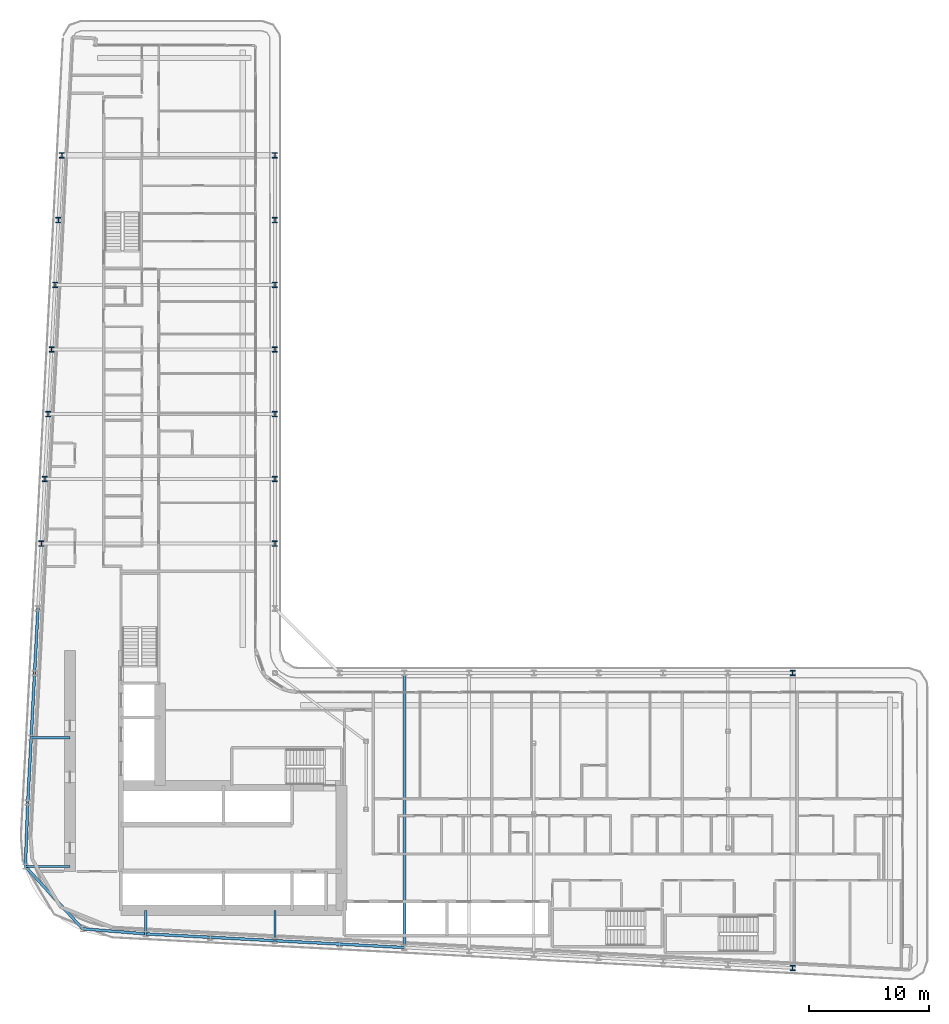
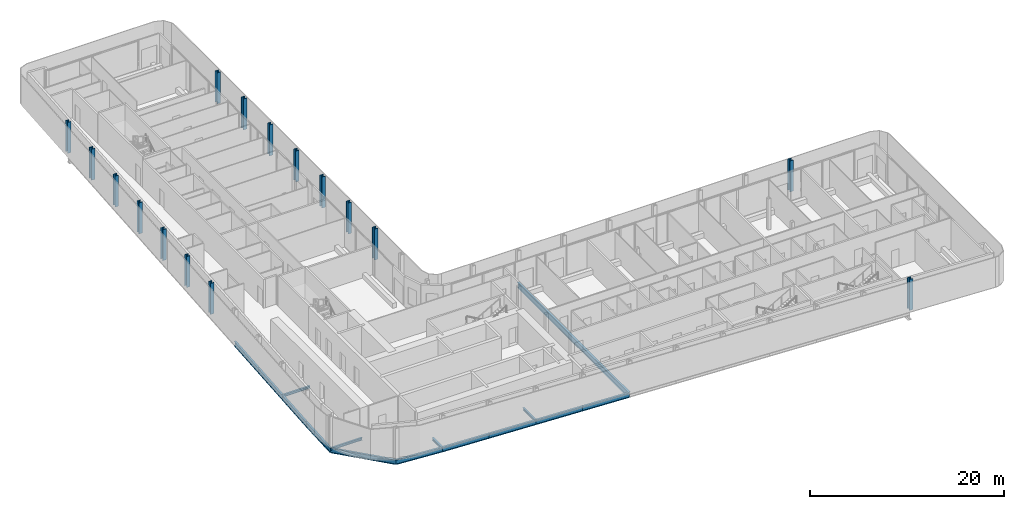
# One storey, part 3 of 28: 16 columns, 15 beams.
"""IFC4 building model written with IfcOpenShell, lengths in metres."""

from ifc_helpers import new_model, si_unit, direction, frame, origin, origin_2d, place, context, subcontext, project, spatial, i_section, extrude, material, material_profile, profile_set, type_object, element, save


model = new_model("IFC4")

# Units and contexts
model_context = context("Model", 3, precision=1e-05, world=origin(), true_north=direction((0.0, 1.0)))
body_context = subcontext(model_context, "Body", "Model", "MODEL_VIEW")
ifc_project = project(units=[si_unit("LENGTHUNIT", "METRE"), si_unit("AREAUNIT", "SQUARE_METRE"), si_unit("VOLUMEUNIT", "CUBIC_METRE"), si_unit("PLANEANGLEUNIT", "RADIAN"), si_unit("MASSUNIT", "GRAM", prefix="KILO")], contexts=[model_context])

# Site, building, storey
site_placement = place(None, origin())
site = spatial("IfcSite", under=ifc_project, at=site_placement, CompositionType="ELEMENT")
building_placement = place(site_placement, origin())
building = spatial("IfcBuilding", under=site, at=building_placement, Name="Kheshtan School and Residences Tower", CompositionType="ELEMENT")
storey_placement = place(building_placement, frame((0.0, 0.0, 133.10009765625)))
storey = spatial("IfcBuildingStorey", under=building, at=storey_placement, Name="L31", CompositionType="ELEMENT", Elevation=133.10009765625)

# Columns
ifc_material = material(Name="Steel ASTM A992 Grade 50", Category="steel")
ifc_material_profile_1 = material_profile(ifc_material, i_section(OverallWidth=0.41796875, OverallDepth=0.455078125, WebThickness=0.042236328125, FlangeThickness=0.067626953125, FilletRadius=0.013671875, at=origin_2d()), Name="W360x551")
ifc_profile_set_1 = profile_set([ifc_material_profile_1], Name="Steel ASTM A992 Grade 50")
column_type = type_object("IfcColumnType", Name="Column C2 W360x551 ASTM A992 Grade 50", PredefinedType="COLUMN", material=ifc_profile_set_1)
for number, where, z_axis, x_axis, name in (
    (1, (90.800048828125, 20.989990234375, 0.0), (0.0, 0.0, 1.0), (1.0, 0.0, 0.0), "Column C006"),
    (2, (90.800048828125, 45.60009765625, 0.0), (0.0, 0.0, 1.0), (1.0, 0.0, 0.0), "Column C068"),
    (3, (28.10595703125, 56.39990234375, 0.0), (0.0, 0.0, 1.0), (1.0, 0.0, 0.0), "Column C080"),
    (4, (47.60009765625, 56.39990234375, 0.0), (0.0, 0.0, 1.0), (1.0, 0.0, 0.0), "Column C081"),
    (5, (28.389892578125, 61.800048828125, 0.0), (0.0, 0.0, 1.0), (1.0, 0.0, 0.0), "Column C082"),
    (6, (47.60009765625, 61.800048828125, 0.0), (0.0, 0.0, 1.0), (1.0, 0.0, 0.0), "Column C083"),
    (7, (28.674072265625, 67.199951171875, 0.0), (0.0, 0.0, 1.0), (1.0, 0.0, 0.0), "Column C084"),
    (8, (47.60009765625, 67.199951171875, 0.0), (0.0, 0.0, 1.0), (1.0, 0.0, 0.0), "Column C085"),
    (9, (28.9580078125, 72.60009765625, 0.0), (0.0, 0.0, 1.0), (1.0, 0.0, 0.0), "Column C086"),
    (10, (47.60009765625, 72.60009765625, 0.0), (0.0, 0.0, 1.0), (1.0, 0.0, 0.0), "Column C087"),
    (11, (29.242919921875, 78.0, 0.0), (0.0, 0.0, 1.0), (1.0, 0.0, 0.0), "Column C088"),
    (12, (47.60009765625, 78.0, 0.0), (0.0, 0.0, 1.0), (1.0, 0.0, 0.0), "Column C089"),
    (13, (29.527099609375, 83.39990234375, 0.0), (0.0, 0.0, 1.0), (1.0, 0.0, 0.0), "Column C090"),
    (14, (47.60009765625, 83.39990234375, 0.0), (0.0, 0.0, 1.0), (1.0, 0.0, 0.0), "Column C091"),
    (15, (29.81103515625, 88.800048828125, 0.0), (0.0, 0.0, 1.0), (1.0, 0.0, 0.0), "Column C098"),
    (16, (47.60009765625, 88.800048828125, 0.0), (0.0, 0.0, 1.0), (1.0, 0.0, 0.0), "Column C099"),
):
    element("IfcColumn", number, at=place(storey_placement, frame(where, z_axis=z_axis, x_axis=x_axis)), inside=storey, type_object=column_type, Name=name, PredefinedType="COLUMN", context=body_context, shape_type="SweptSolid", body=[
        extrude(i_section(OverallWidth=0.41796875, OverallDepth=0.455078125, WebThickness=0.042236328125, FlangeThickness=0.067626953125, FilletRadius=0.013671875, at=origin_2d()), origin(), (0.0, 0.0, 1.0), 3.89990234375),
    ])

# Beams
ifc_material_profile_2 = material_profile(ifc_material, i_section(OverallWidth=0.202880859375, OverallDepth=0.302978515625, WebThickness=0.007568359375, FlangeThickness=0.01318359375, FilletRadius=0.009033203125, at=origin_2d()), Name="W310x60")
ifc_profile_set_2 = profile_set([ifc_material_profile_2], Name="Steel ASTM A992 Grade 50")
beam_type_1 = type_object("IfcBeamType", Name="Beam FB1 W310x60 ASTM A992 Grade 50", PredefinedType="BEAM", material=ifc_profile_set_2)
beam_1_placement = place(storey_placement, frame((47.60009765625, 23.263916015625, -0.301513671875), z_axis=(0.0, 1.0, 0.0), x_axis=(-1.0, 0.0, 0.0)))
element("IfcBeam", 17, at=beam_1_placement, inside=storey, type_object=beam_type_1, Name="Floor beam C020", PredefinedType="BEAM", context=body_context, shape_type="SweptSolid", body=[
    extrude(i_section(OverallWidth=0.202880859375, OverallDepth=0.302978515625, WebThickness=0.007568359375, FlangeThickness=0.01318359375, FilletRadius=0.009033203125, at=origin_2d()), origin(), (0.0, 0.0, 1.0), 2.5361328125),
])
beam_2_placement = place(storey_placement, frame((36.800048828125, 23.83203125, -0.301513671875), z_axis=(0.0, 1.0, 0.0), x_axis=(-1.0, 0.0, 0.0)))
element("IfcBeam", 18, at=beam_2_placement, inside=storey, type_object=beam_type_1, Name="Floor beam C022", PredefinedType="BEAM", context=body_context, shape_type="SweptSolid", body=[
    extrude(i_section(OverallWidth=0.202880859375, OverallDepth=0.302978515625, WebThickness=0.007568359375, FlangeThickness=0.01318359375, FilletRadius=0.009033203125, at=origin_2d()), origin(), (0.0, 0.0, 1.0), 1.968017578125),
])
beam_3_placement = place(storey_placement, frame((26.76904296875, 29.4541015625, -0.301513671875), z_axis=(1.0, 0.0, 0.0), x_axis=(0.0, 1.0, 0.0)))
element("IfcBeam", 19, at=beam_3_placement, inside=storey, type_object=beam_type_1, Name="Floor beam C038", PredefinedType="BEAM", context=body_context, shape_type="SweptSolid", body=[
    extrude(i_section(OverallWidth=0.202880859375, OverallDepth=0.302978515625, WebThickness=0.007568359375, FlangeThickness=0.01318359375, FilletRadius=0.009033203125, at=origin_2d()), origin(), (0.0, 0.0, 1.0), 3.73095703125),
])
beam_4_placement = place(storey_placement, frame((27.2529296875, 40.199951171875, -0.301513671875), z_axis=(1.0, 0.0, 0.0), x_axis=(0.0, 1.0, 0.0)))
element("IfcBeam", 20, at=beam_4_placement, inside=storey, type_object=beam_type_1, Name="Floor beam C056", PredefinedType="BEAM", context=body_context, shape_type="SweptSolid", body=[
    extrude(i_section(OverallWidth=0.202880859375, OverallDepth=0.302978515625, WebThickness=0.007568359375, FlangeThickness=0.01318359375, FilletRadius=0.009033203125, at=origin_2d()), origin(), (0.0, 0.0, 1.0), 3.2470703125),
])
ifc_material_profile_3 = material_profile(ifc_material, i_section(OverallWidth=0.2529296875, OverallDepth=0.677978515625, WebThickness=0.01171875, FlangeThickness=0.016357421875, FilletRadius=0.0146484375, at=origin_2d()), Name="W690x125")
ifc_profile_set_3 = profile_set([ifc_material_profile_3], Name="Steel ASTM A992 Grade 50")
beam_type_2 = type_object("IfcBeamType", Name="Beam FB6 W690x125 ASTM A992 Grade 50", PredefinedType="BEAM", material=ifc_profile_set_3)
beam_5_placement = place(storey_placement, frame((58.39990234375, 22.695068359375, -0.489013671875), z_axis=(0.0, 1.0, 0.0), x_axis=(-1.0, 0.0, 0.0)))
element("IfcBeam", 21, at=beam_5_placement, inside=storey, type_object=beam_type_2, Name="Floor beam C018", PredefinedType="BEAM", context=body_context, shape_type="SweptSolid", body=[
    extrude(i_section(OverallWidth=0.2529296875, OverallDepth=0.677978515625, WebThickness=0.01171875, FlangeThickness=0.016357421875, FilletRadius=0.0146484375, at=origin_2d()), origin(), (0.0, 0.0, 1.0), 22.905029296875),
])
ifc_material_profile_4 = material_profile(ifc_material, i_section(OverallWidth=0.22802734375, OverallDepth=0.60302734375, WebThickness=0.010498046875, FlangeThickness=0.014892578125, FilletRadius=0.013427734375, at=origin_2d()), Name="W610x101")
ifc_profile_set_4 = profile_set([ifc_material_profile_4], Name="Steel ASTM A992 Grade 50")
beam_type_3 = type_object("IfcBeamType", Name="Beam SP2 W610x101 ASTM A992 Grade 50", PredefinedType="BEAM", material=ifc_profile_set_4)
for number, where, z_axis, x_axis, name in (
    (22, (58.39990234375, 22.695068359375, -0.45166015625), (-0.998610961136, 0.052689166816, 0.0), (-0.052689166816, -0.998610961136, 0.0), "Spandrel beam C018-C019"),
    (23, (53.0, 22.97998046875, -0.45166015625), (-0.998620447272, 0.05250906864, 0.0), (-0.05250906864, -0.998620447272, 0.0), "Spandrel beam C019-C020"),
):
    element("IfcBeam", number, at=place(storey_placement, frame(where, z_axis=z_axis, x_axis=x_axis)), inside=storey, type_object=beam_type_3, Name=name, PredefinedType="BEAM", context=body_context, shape_type="SweptSolid", body=[
        extrude(i_section(OverallWidth=0.22802734375, OverallDepth=0.60302734375, WebThickness=0.010498046875, FlangeThickness=0.014892578125, FilletRadius=0.013427734375, at=origin_2d()), origin(), (0.0, 0.0, 1.0), 5.407470703125),
    ])
beam_6_placement = place(storey_placement, frame((47.60009765625, 23.263916015625, -0.45166015625), z_axis=(-0.998618203458, 0.052551724256, 0.0), x_axis=(-0.052551724256, -0.998618203458, 0.0)))
element("IfcBeam", 24, at=beam_6_placement, inside=storey, type_object=beam_type_3, Name="Spandrel beam C020-C021", PredefinedType="BEAM", context=body_context, shape_type="SweptSolid", body=[
    extrude(i_section(OverallWidth=0.22802734375, OverallDepth=0.60302734375, WebThickness=0.010498046875, FlangeThickness=0.014892578125, FilletRadius=0.013427734375, at=origin_2d()), origin(), (0.0, 0.0, 1.0), 5.40771484375),
])
beam_7_placement = place(storey_placement, frame((42.199951171875, 23.548095703125, -0.45166015625), z_axis=(-0.998620447272, 0.05250906864, 0.0), x_axis=(-0.05250906864, -0.998620447272, 0.0)))
element("IfcBeam", 25, at=beam_7_placement, inside=storey, type_object=beam_type_3, Name="Spandrel beam C021-C022", PredefinedType="BEAM", context=body_context, shape_type="SweptSolid", body=[
    extrude(i_section(OverallWidth=0.22802734375, OverallDepth=0.60302734375, WebThickness=0.010498046875, FlangeThickness=0.014892578125, FilletRadius=0.013427734375, at=origin_2d()), origin(), (0.0, 0.0, 1.0), 5.407470703125),
])
beam_8_placement = place(storey_placement, frame((36.800048828125, 23.83203125, -0.45166015625), z_axis=(-0.996748565693, 0.08057479003, 0.0), x_axis=(-0.08057479003, -0.996748565693, 0.0)))
element("IfcBeam", 26, at=beam_8_placement, inside=storey, type_object=beam_type_3, Name="Spandrel beam C022-C025", PredefinedType="BEAM", context=body_context, shape_type="SweptSolid", body=[
    extrude(i_section(OverallWidth=0.22802734375, OverallDepth=0.60302734375, WebThickness=0.010498046875, FlangeThickness=0.014892578125, FilletRadius=0.013427734375, at=origin_2d()), origin(), (0.0, 0.0, 1.0), 5.275146484375),
])
beam_9_placement = place(storey_placement, frame((31.5419921875, 24.257080078125, -0.45166015625), z_axis=(-0.676418406149, 0.736517576045, 0.0), x_axis=(-0.736517576045, -0.676418406149, 0.0)))
element("IfcBeam", 27, at=beam_9_placement, inside=storey, type_object=beam_type_3, Name="Spandrel beam C025-C038", PredefinedType="BEAM", context=body_context, shape_type="SweptSolid", body=[
    extrude(i_section(OverallWidth=0.22802734375, OverallDepth=0.60302734375, WebThickness=0.010498046875, FlangeThickness=0.014892578125, FilletRadius=0.013427734375, at=origin_2d()), origin(), (0.0, 0.0, 1.0), 7.05615234375),
])
beam_10_placement = place(storey_placement, frame((26.76904296875, 29.4541015625, -0.45166015625), z_axis=(0.037376249491, 0.999301263871, 0.0), x_axis=(-0.999301263871, 0.037376249491, 0.0)))
element("IfcBeam", 28, at=beam_10_placement, inside=storey, type_object=beam_type_3, Name="Spandrel beam C038-C052", PredefinedType="BEAM", context=body_context, shape_type="SweptSolid", body=[
    extrude(i_section(OverallWidth=0.22802734375, OverallDepth=0.60302734375, WebThickness=0.010498046875, FlangeThickness=0.014892578125, FilletRadius=0.013427734375, at=origin_2d()), origin(), (0.0, 0.0, 1.0), 5.349609375),
])
beam_11_placement = place(storey_placement, frame((26.968994140625, 34.800048828125, -0.45166015625), z_axis=(0.05250906864, 0.998620447272, 0.0), x_axis=(-0.998620447272, 0.05250906864, 0.0)))
element("IfcBeam", 29, at=beam_11_placement, inside=storey, type_object=beam_type_3, Name="Spandrel beam C052-C056", PredefinedType="BEAM", context=body_context, shape_type="SweptSolid", body=[
    extrude(i_section(OverallWidth=0.22802734375, OverallDepth=0.60302734375, WebThickness=0.010498046875, FlangeThickness=0.014892578125, FilletRadius=0.013427734375, at=origin_2d()), origin(), (0.0, 0.0, 1.0), 5.407470703125),
])
beam_12_placement = place(storey_placement, frame((27.2529296875, 40.199951171875, -0.45166015625), z_axis=(0.052551724256, 0.998618203458, 0.0), x_axis=(-0.998618203458, 0.052551724256, 0.0)))
element("IfcBeam", 30, at=beam_12_placement, inside=storey, type_object=beam_type_3, Name="Spandrel beam C056-C059", PredefinedType="BEAM", context=body_context, shape_type="SweptSolid", body=[
    extrude(i_section(OverallWidth=0.22802734375, OverallDepth=0.60302734375, WebThickness=0.010498046875, FlangeThickness=0.014892578125, FilletRadius=0.013427734375, at=origin_2d()), origin(), (0.0, 0.0, 1.0), 5.40771484375),
])
beam_13_placement = place(storey_placement, frame((27.537109375, 45.60009765625, -0.45166015625), z_axis=(0.052689166816, 0.998610961136, 0.0), x_axis=(-0.998610961136, 0.052689166816, 0.0)))
element("IfcBeam", 31, at=beam_13_placement, inside=storey, type_object=beam_type_3, Name="Spandrel beam C059-C078", PredefinedType="BEAM", context=body_context, shape_type="SweptSolid", body=[
    extrude(i_section(OverallWidth=0.22802734375, OverallDepth=0.60302734375, WebThickness=0.010498046875, FlangeThickness=0.014892578125, FilletRadius=0.013427734375, at=origin_2d()), origin(), (0.0, 0.0, 1.0), 5.407470703125),
])

save(model, "model.ifc")
